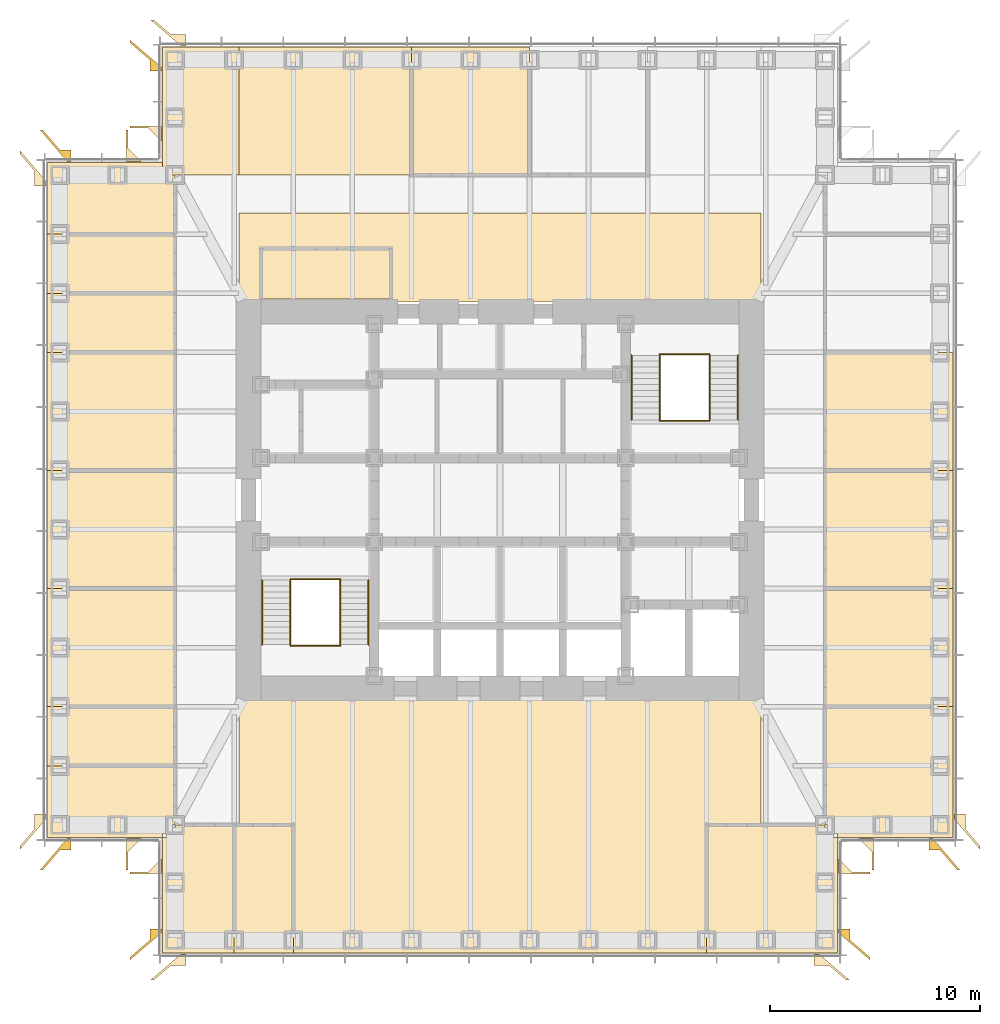
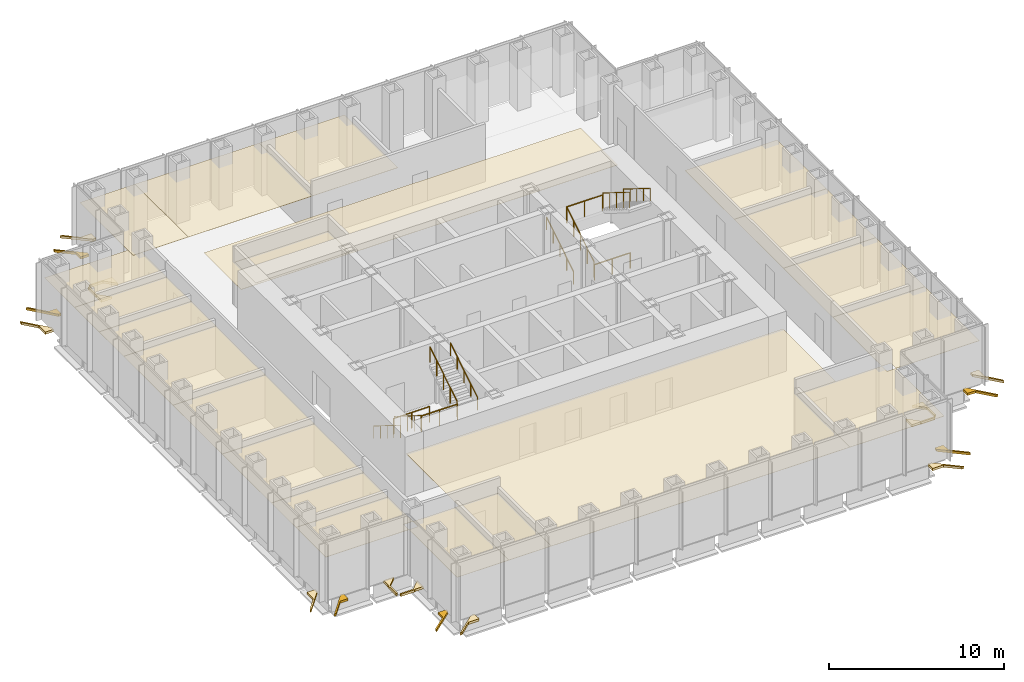
# One storey, part 16 of 17: 39 coverings, 12 railings.
"""IFC4 building model written with IfcOpenShell, lengths in metres."""

from ifc_helpers import new_model, si_unit, direction, frame, origin, origin_2d, place, context, subcontext, project, spatial, polyline, circle, outline, extrude, material, layer, layer_set, type_object, element, save


model = new_model("IFC4")

# Units and contexts
model_context = context("Model", 3, precision=1e-05, world=origin(), true_north=direction((0.0, 1.0)))
body_context = subcontext(model_context, "Body", "Model", "MODEL_VIEW")
ifc_project = project(units=[si_unit("LENGTHUNIT", "METRE"), si_unit("AREAUNIT", "SQUARE_METRE"), si_unit("VOLUMEUNIT", "CUBIC_METRE"), si_unit("PLANEANGLEUNIT", "RADIAN"), si_unit("MASSUNIT", "GRAM", prefix="KILO")], contexts=[model_context])

# Site, building, storey
site_placement = place(None, origin())
site = spatial("IfcSite", under=ifc_project, at=site_placement, CompositionType="ELEMENT")
building_placement = place(site_placement, origin())
building = spatial("IfcBuilding", under=site, at=building_placement, Name="Daluyong Arena Tower", CompositionType="ELEMENT")
storey_placement = place(building_placement, frame((0.0, 0.0, 185.5)))
storey = spatial("IfcBuildingStorey", under=building, at=storey_placement, Name="L41", CompositionType="ELEMENT", Elevation=185.5)

# Coverings
ifc_material_1 = material(Name="Mineral fibre ceiling tile", Category="gypsum board")
ifc_layer_1 = layer(ifc_material_1, 0.02001953125)
ifc_layer_set_1 = layer_set([ifc_layer_1], Name="Mineral fibre ceiling tile")
covering_type_1 = type_object("IfcCoveringType", Name="Office ceiling", PredefinedType="CEILING", material=ifc_layer_set_1)
covering_1_placement = place(storey_placement, frame((0.0, 0.0, 2.89990234375)))
element("IfcCovering", 1, at=covering_1_placement, inside=storey, type_object=covering_type_1, Name="ceiling L41-01", PredefinedType="CEILING", context=body_context, shape_type="SweptSolid", body=[
    extrude(outline(polyline([(39.89990234375, 63.89990234375), (39.89990234375, 58.39990234375), (43.318115234375, 58.39990234375), (43.318115234375, 64.5), (40.5, 64.5), (40.5, 63.89990234375), (39.89990234375, 63.89990234375)])), origin(), (0.0, 0.0, 1.0), 0.02001953125),
])
covering_2_placement = place(storey_placement, frame((0.0, 0.0, 2.89990234375)))
element("IfcCovering", 2, at=covering_2_placement, inside=storey, type_object=covering_type_1, Name="ceiling L41-02", PredefinedType="CEILING", context=body_context, shape_type="SweptSolid", body=[
    extrude(outline(polyline([(43.318115234375, 64.5), (43.318115234375, 58.39990234375), (46.136474609375, 58.39990234375), (46.136474609375, 64.5), (43.318115234375, 64.5)])), origin(), (0.0, 0.0, 1.0), 0.02001953125),
])
covering_3_placement = place(storey_placement, frame((0.0, 0.0, 2.89990234375)))
element("IfcCovering", 3, at=covering_3_placement, inside=storey, type_object=covering_type_1, Name="ceiling L41-03", PredefinedType="CEILING", context=body_context, shape_type="SweptSolid", body=[
    extrude(outline(polyline([(72.10009765625, 58.39990234375), (72.10009765625, 63.89990234375), (71.5, 63.89990234375), (71.5, 64.5), (65.863525390625, 64.5), (65.863525390625, 58.39990234375), (72.10009765625, 58.39990234375)])), origin(), (0.0, 0.0, 1.0), 0.02001953125),
])
covering_4_placement = place(storey_placement, frame((0.0, 0.0, 2.89990234375)))
element("IfcCovering", 4, at=covering_4_placement, inside=storey, type_object=covering_type_1, Name="ceiling L41-04", PredefinedType="CEILING", context=body_context, shape_type="SweptSolid", body=[
    extrude(outline(polyline([(72.10009765625, 63.89990234375), (77.60009765625, 63.89990234375), (77.60009765625, 70.136474609375), (71.5, 70.136474609375), (71.5, 64.5), (72.10009765625, 64.5), (72.10009765625, 63.89990234375)])), origin(), (0.0, 0.0, 1.0), 0.02001953125),
])
covering_5_placement = place(storey_placement, frame((0.0, 0.0, 2.89990234375)))
element("IfcCovering", 5, at=covering_5_placement, inside=storey, type_object=covering_type_1, Name="ceiling L41-05", PredefinedType="CEILING", context=body_context, shape_type="SweptSolid", body=[
    extrude(outline(polyline([(71.5, 70.136474609375), (77.60009765625, 70.136474609375), (77.60009765625, 75.772705078125), (71.5, 75.772705078125), (71.5, 70.136474609375)])), origin(), (0.0, 0.0, 1.0), 0.02001953125),
])
covering_6_placement = place(storey_placement, frame((0.0, 0.0, 2.89990234375)))
element("IfcCovering", 6, at=covering_6_placement, inside=storey, type_object=covering_type_1, Name="ceiling L41-06", PredefinedType="CEILING", context=body_context, shape_type="SweptSolid", body=[
    extrude(outline(polyline([(71.5, 75.772705078125), (77.60009765625, 75.772705078125), (77.60009765625, 81.4091796875), (71.5, 81.4091796875), (71.5, 75.772705078125)])), origin(), (0.0, 0.0, 1.0), 0.02001953125),
])
covering_7_placement = place(storey_placement, frame((0.0, 0.0, 2.89990234375)))
element("IfcCovering", 7, at=covering_7_placement, inside=storey, type_object=covering_type_1, Name="ceiling L41-07", PredefinedType="CEILING", context=body_context, shape_type="SweptSolid", body=[
    extrude(outline(polyline([(71.5, 81.4091796875), (77.60009765625, 81.4091796875), (77.60009765625, 87.04541015625), (71.5, 87.04541015625), (71.5, 81.4091796875)])), origin(), (0.0, 0.0, 1.0), 0.02001953125),
])
covering_8_placement = place(storey_placement, frame((0.0, 0.0, 2.89990234375)))
element("IfcCovering", 8, at=covering_8_placement, inside=storey, type_object=covering_type_1, Name="ceiling L41-10", PredefinedType="CEILING", context=body_context, shape_type="SweptSolid", body=[
    extrude(outline(polyline([(57.4091796875, 95.5), (57.4091796875, 101.60009765625), (51.772705078125, 101.60009765625), (51.772705078125, 95.5), (57.4091796875, 95.5)])), origin(), (0.0, 0.0, 1.0), 0.02001953125),
])
covering_9_placement = place(storey_placement, frame((0.0, 0.0, 2.89990234375)))
element("IfcCovering", 9, at=covering_9_placement, inside=storey, type_object=covering_type_1, Name="ceiling L41-12", PredefinedType="CEILING", context=body_context, shape_type="SweptSolid", body=[
    extrude(outline(polyline([(34.39990234375, 63.89990234375), (39.89990234375, 63.89990234375), (39.89990234375, 64.5), (40.5, 64.5), (40.5, 67.318115234375), (34.39990234375, 67.318115234375), (34.39990234375, 63.89990234375)])), origin(), (0.0, 0.0, 1.0), 0.02001953125),
])
covering_10_placement = place(storey_placement, frame((0.0, 0.0, 2.89990234375)))
element("IfcCovering", 10, at=covering_10_placement, inside=storey, type_object=covering_type_1, Name="ceiling L41-13", PredefinedType="CEILING", context=body_context, shape_type="SweptSolid", body=[
    extrude(outline(polyline([(40.5, 70.136474609375), (34.39990234375, 70.136474609375), (34.39990234375, 67.318115234375), (40.5, 67.318115234375), (40.5, 70.136474609375)])), origin(), (0.0, 0.0, 1.0), 0.02001953125),
])
covering_11_placement = place(storey_placement, frame((0.0, 0.0, 2.89990234375)))
element("IfcCovering", 11, at=covering_11_placement, inside=storey, type_object=covering_type_1, Name="ceiling L41-14", PredefinedType="CEILING", context=body_context, shape_type="SweptSolid", body=[
    extrude(outline(polyline([(40.5, 75.772705078125), (34.39990234375, 75.772705078125), (34.39990234375, 70.136474609375), (40.5, 70.136474609375), (40.5, 75.772705078125)])), origin(), (0.0, 0.0, 1.0), 0.02001953125),
])
covering_12_placement = place(storey_placement, frame((0.0, 0.0, 2.89990234375)))
element("IfcCovering", 12, at=covering_12_placement, inside=storey, type_object=covering_type_1, Name="ceiling L41-15", PredefinedType="CEILING", context=body_context, shape_type="SweptSolid", body=[
    extrude(outline(polyline([(40.5, 81.4091796875), (34.39990234375, 81.4091796875), (34.39990234375, 75.772705078125), (40.5, 75.772705078125), (40.5, 81.4091796875)])), origin(), (0.0, 0.0, 1.0), 0.02001953125),
])
covering_13_placement = place(storey_placement, frame((0.0, 0.0, 2.89990234375)))
element("IfcCovering", 13, at=covering_13_placement, inside=storey, type_object=covering_type_1, Name="ceiling L41-16", PredefinedType="CEILING", context=body_context, shape_type="SweptSolid", body=[
    extrude(outline(polyline([(40.5, 87.04541015625), (34.39990234375, 87.04541015625), (34.39990234375, 81.4091796875), (40.5, 81.4091796875), (40.5, 87.04541015625)])), origin(), (0.0, 0.0, 1.0), 0.02001953125),
])
covering_14_placement = place(storey_placement, frame((0.0, 0.0, 2.89990234375)))
element("IfcCovering", 14, at=covering_14_placement, inside=storey, type_object=covering_type_1, Name="ceiling L41-17", PredefinedType="CEILING", context=body_context, shape_type="SweptSolid", body=[
    extrude(outline(polyline([(40.5, 89.863525390625), (34.39990234375, 89.863525390625), (34.39990234375, 87.04541015625), (40.5, 87.04541015625), (40.5, 89.863525390625)])), origin(), (0.0, 0.0, 1.0), 0.02001953125),
])
covering_15_placement = place(storey_placement, frame((0.0, 0.0, 2.89990234375)))
element("IfcCovering", 15, at=covering_15_placement, inside=storey, type_object=covering_type_1, Name="ceiling L41-18", PredefinedType="CEILING", context=body_context, shape_type="SweptSolid", body=[
    extrude(outline(polyline([(40.5, 92.681884765625), (34.39990234375, 92.681884765625), (34.39990234375, 89.863525390625), (40.5, 89.863525390625), (40.5, 92.681884765625)])), origin(), (0.0, 0.0, 1.0), 0.02001953125),
])
covering_16_placement = place(storey_placement, frame((0.0, 0.0, 2.89990234375)))
element("IfcCovering", 16, at=covering_16_placement, inside=storey, type_object=covering_type_1, Name="ceiling L41-19", PredefinedType="CEILING", context=body_context, shape_type="SweptSolid", body=[
    extrude(outline(polyline([(40.5, 92.681884765625), (40.5, 95.5), (39.89990234375, 95.5), (39.89990234375, 96.10009765625), (34.39990234375, 96.10009765625), (34.39990234375, 92.681884765625), (40.5, 92.681884765625)])), origin(), (0.0, 0.0, 1.0), 0.02001953125),
])
covering_17_placement = place(storey_placement, frame((0.0, 0.0, 2.89990234375)))
element("IfcCovering", 17, at=covering_17_placement, inside=storey, type_object=covering_type_1, Name="ceiling L41-20", PredefinedType="CEILING", context=body_context, shape_type="SweptSolid", body=[
    extrude(outline(polyline([(44.60009765625, 89.60009765625), (50.800048828125, 89.60009765625), (50.800048828125, 92.0), (44.60009765625, 92.0), (44.60009765625, 89.60009765625)])), origin(), (0.0, 0.0, 1.0), 0.02001953125),
])
covering_18_placement = place(storey_placement, frame((0.0, 0.0, 2.89990234375)))
element("IfcCovering", 18, at=covering_18_placement, inside=storey, type_object=covering_type_1, Name="ceiling L41-24", PredefinedType="CEILING", context=body_context, shape_type="SweptSolid", body=[
    extrude(outline(polyline([(46.136474609375, 58.39990234375), (65.863525390625, 58.39990234375), (65.863525390625, 64.5), (68.449951171875, 64.5), (68.449951171875, 70.550048828125), (43.550048828125, 70.550048828125), (43.550048828125, 64.5), (46.136474609375, 64.5), (46.136474609375, 58.39990234375)])), origin(), (0.0, 0.0, 1.0), 0.02001953125),
])
covering_19_placement = place(storey_placement, frame((0.0, 0.0, 2.89990234375)))
element("IfcCovering", 19, at=covering_19_placement, inside=storey, type_object=covering_type_1, Name="ceiling L41-27", PredefinedType="CEILING", context=body_context, shape_type="SweptSolid", body=[
    extrude(outline(polyline([(43.550048828125, 89.449951171875), (68.449951171875, 89.449951171875), (68.449951171875, 93.699951171875), (43.550048828125, 93.699951171875), (43.550048828125, 89.449951171875)]), holes=[polyline([(50.800048828125, 89.60009765625), (44.60009765625, 89.60009765625), (44.60009765625, 92.0), (50.800048828125, 92.0), (50.800048828125, 89.60009765625)])]), origin(), (0.0, 0.0, 1.0), 0.02001953125),
])
covering_20_placement = place(storey_placement, frame((0.0, 0.0, 2.89990234375)))
element("IfcCovering", 20, at=covering_20_placement, inside=storey, type_object=covering_type_1, Name="ceiling L41-28", PredefinedType="CEILING", context=body_context, shape_type="SweptSolid", body=[
    extrude(outline(polyline([(51.772705078125, 101.60009765625), (43.550048828125, 101.60009765625), (43.550048828125, 95.5), (51.772705078125, 95.5), (51.772705078125, 101.60009765625)])), origin(), (0.0, 0.0, 1.0), 0.02001953125),
])
covering_21_placement = place(storey_placement, frame((0.0, 0.0, 2.89990234375)))
element("IfcCovering", 21, at=covering_21_placement, inside=storey, type_object=covering_type_1, Name="ceiling L41-29", PredefinedType="CEILING", context=body_context, shape_type="SweptSolid", body=[
    extrude(outline(polyline([(39.89990234375, 95.5), (43.550048828125, 95.5), (43.550048828125, 101.60009765625), (39.89990234375, 101.60009765625), (39.89990234375, 95.5)])), origin(), (0.0, 0.0, 1.0), 0.02001953125),
])

# Railings
ifc_material_2 = material(Name="Stainless steel handrail", Category="steel")
railing_type_1 = type_object("IfcRailingType", Name="Stair handrail", PredefinedType="HANDRAIL", material=ifc_material_2)
railing_1_placement = place(storey_placement, frame((44.64990234375, 76.175048828125, 0.175048828125)))
element("IfcRailing", 22, at=railing_1_placement, inside=storey, type_object=railing_type_1, Name="exit stair A handrail L41", PredefinedType="HANDRAIL", context=body_context, shape_type="SweptSolid", body=[
    extrude(circle(Radius=0.02392578125, at=origin_2d()), frame((0.0, 0.0, 0.8759765625), z_axis=(0.0, -0.847998304005, 0.529998940003), x_axis=(1.0, 0.0, 0.0)), (0.0, 0.0, 1.0), 3.632080078125),
    extrude(circle(Radius=0.02099609375, at=origin_2d()), origin(), (0.0, 0.0, 1.0), 0.851806640625),
    extrude(circle(Radius=0.02099609375, at=origin_2d()), frame((0.0, -0.77001953125, 0.481201171875)), (0.0, 0.0, 1.0), 0.851806640625),
    extrude(circle(Radius=0.02099609375, at=origin_2d()), frame((0.0, -1.5400390625, 0.96240234375)), (0.0, 0.0, 1.0), 0.851806640625),
    extrude(circle(Radius=0.02099609375, at=origin_2d()), frame((0.0, -2.31005859375, 1.44384765625)), (0.0, 0.0, 1.0), 0.851806640625),
    extrude(circle(Radius=0.02099609375, at=origin_2d()), frame((0.0, -3.080078125, 1.925048828125)), (0.0, 0.0, 1.0), 0.851806640625),
])
for number, where, name in (
    (23, (49.72509765625, 73.094970703125, 2.27490234375), "exit stair A handrail L41"),
    (24, (62.27490234375, 83.824951171875, 0.175048828125), "exit stair B handrail L41"),
):
    element("IfcRailing", number, at=place(storey_placement, frame(where)), inside=storey, type_object=railing_type_1, Name=name, PredefinedType="HANDRAIL", context=body_context, shape_type="SweptSolid", body=[
        extrude(circle(Radius=0.02392578125, at=origin_2d()), frame((0.0, 0.0, 0.8759765625), z_axis=(0.0, 0.847998304005, 0.529998940003), x_axis=(-1.0, 0.0, 0.0)), (0.0, 0.0, 1.0), 3.632080078125),
        extrude(circle(Radius=0.02099609375, at=origin_2d()), origin(), (0.0, 0.0, 1.0), 0.851806640625),
        extrude(circle(Radius=0.02099609375, at=origin_2d()), frame((0.0, 0.77001953125, 0.481201171875)), (0.0, 0.0, 1.0), 0.851806640625),
        extrude(circle(Radius=0.02099609375, at=origin_2d()), frame((0.0, 1.5400390625, 0.96240234375)), (0.0, 0.0, 1.0), 0.851806640625),
        extrude(circle(Radius=0.02099609375, at=origin_2d()), frame((0.0, 2.31005859375, 1.44384765625)), (0.0, 0.0, 1.0), 0.851806640625),
        extrude(circle(Radius=0.02099609375, at=origin_2d()), frame((0.0, 3.080078125, 1.925048828125)), (0.0, 0.0, 1.0), 0.851806640625),
    ])
railing_2_placement = place(storey_placement, frame((67.35009765625, 86.905029296875, 2.27490234375)))
element("IfcRailing", 25, at=railing_2_placement, inside=storey, type_object=railing_type_1, Name="exit stair B handrail L41", PredefinedType="HANDRAIL", context=body_context, shape_type="SweptSolid", body=[
    extrude(circle(Radius=0.02392578125, at=origin_2d()), frame((0.0, 0.0, 0.8759765625), z_axis=(0.0, -0.847998304005, 0.529998940003), x_axis=(1.0, 0.0, 0.0)), (0.0, 0.0, 1.0), 3.632080078125),
    extrude(circle(Radius=0.02099609375, at=origin_2d()), origin(), (0.0, 0.0, 1.0), 0.851806640625),
    extrude(circle(Radius=0.02099609375, at=origin_2d()), frame((0.0, -0.77001953125, 0.481201171875)), (0.0, 0.0, 1.0), 0.851806640625),
    extrude(circle(Radius=0.02099609375, at=origin_2d()), frame((0.0, -1.5400390625, 0.96240234375)), (0.0, 0.0, 1.0), 0.851806640625),
    extrude(circle(Radius=0.02099609375, at=origin_2d()), frame((0.0, -2.31005859375, 1.44384765625)), (0.0, 0.0, 1.0), 0.851806640625),
    extrude(circle(Radius=0.02099609375, at=origin_2d()), frame((0.0, -3.080078125, 1.925048828125)), (0.0, 0.0, 1.0), 0.851806640625),
])
ifc_material_3 = material(Name="Steel balustrade", Category="steel")
railing_type_2 = type_object("IfcRailingType", Name="Stair well guard 1100", PredefinedType="GUARDRAIL", material=ifc_material_3)
railing_3_placement = place(storey_placement, frame((46.0, 76.175048828125, 0.175048828125)))
element("IfcRailing", 26, at=railing_3_placement, inside=storey, type_object=railing_type_2, Name="exit stair A well guard L41", PredefinedType="GUARDRAIL", context=body_context, shape_type="SweptSolid", body=[
    extrude(circle(Radius=0.02392578125, at=origin_2d()), frame((0.0, 0.0, 1.076171875), z_axis=(0.0, -0.847998304005, 0.529998940003), x_axis=(1.0, 0.0, 0.0)), (0.0, 0.0, 1.0), 3.632080078125),
    extrude(circle(Radius=0.02099609375, at=origin_2d()), origin(), (0.0, 0.0, 1.0), 1.052001953125),
    extrude(circle(Radius=0.02099609375, at=origin_2d()), frame((0.0, -0.77001953125, 0.481201171875)), (0.0, 0.0, 1.0), 1.052001953125),
    extrude(circle(Radius=0.02099609375, at=origin_2d()), frame((0.0, -1.5400390625, 0.96240234375)), (0.0, 0.0, 1.0), 1.052001953125),
    extrude(circle(Radius=0.02099609375, at=origin_2d()), frame((0.0, -2.31005859375, 1.44384765625)), (0.0, 0.0, 1.0), 1.052001953125),
    extrude(circle(Radius=0.02099609375, at=origin_2d()), frame((0.0, -3.080078125, 1.925048828125)), (0.0, 0.0, 1.0), 1.052001953125),
])
railing_4_placement = place(storey_placement, frame((48.375, 73.094970703125, 2.27490234375)))
element("IfcRailing", 27, at=railing_4_placement, inside=storey, type_object=railing_type_2, Name="exit stair A well guard L41", PredefinedType="GUARDRAIL", context=body_context, shape_type="SweptSolid", body=[
    extrude(circle(Radius=0.02392578125, at=origin_2d()), frame((0.0, 0.0, 1.076171875), z_axis=(0.0, 0.847998304005, 0.529998940003), x_axis=(-1.0, 0.0, 0.0)), (0.0, 0.0, 1.0), 3.632080078125),
    extrude(circle(Radius=0.02099609375, at=origin_2d()), origin(), (0.0, 0.0, 1.0), 1.052001953125),
    extrude(circle(Radius=0.02099609375, at=origin_2d()), frame((0.0, 0.77001953125, 0.481201171875)), (0.0, 0.0, 1.0), 1.052001953125),
    extrude(circle(Radius=0.02099609375, at=origin_2d()), frame((0.0, 1.5400390625, 0.96240234375)), (0.0, 0.0, 1.0), 1.052001953125),
    extrude(circle(Radius=0.02099609375, at=origin_2d()), frame((0.0, 2.31005859375, 1.44384765625)), (0.0, 0.0, 1.0), 1.052001953125),
    extrude(circle(Radius=0.02099609375, at=origin_2d()), frame((0.0, 3.080078125, 1.925048828125)), (0.0, 0.0, 1.0), 1.052001953125),
])
for number, where, name in (
    (28, (46.0, 73.044921875, 2.10009765625), "exit stair A landing guard L41"),
    (29, (46.0, 76.22509765625, 0.0), "exit stair A floor landing guard L41"),
):
    element("IfcRailing", number, at=place(storey_placement, frame(where)), inside=storey, type_object=railing_type_2, Name=name, PredefinedType="GUARDRAIL", context=body_context, shape_type="SweptSolid", body=[
        extrude(circle(Radius=0.02392578125, at=origin_2d()), frame((0.0, 0.0, 1.076171875), z_axis=(1.0, 0.0, 0.0), x_axis=(0.0, 1.0, 0.0)), (0.0, 0.0, 1.0), 2.375),
        extrude(circle(Radius=0.02099609375, at=origin_2d()), origin(), (0.0, 0.0, 1.0), 1.052001953125),
        extrude(circle(Radius=0.02099609375, at=origin_2d()), frame((1.1875, 0.0, 0.0)), (0.0, 0.0, 1.0), 1.052001953125),
        extrude(circle(Radius=0.02099609375, at=origin_2d()), frame((2.375, 0.0, 0.0)), (0.0, 0.0, 1.0), 1.052001953125),
    ])
railing_5_placement = place(storey_placement, frame((63.625, 83.824951171875, 0.175048828125)))
element("IfcRailing", 30, at=railing_5_placement, inside=storey, type_object=railing_type_2, Name="exit stair B well guard L41", PredefinedType="GUARDRAIL", context=body_context, shape_type="SweptSolid", body=[
    extrude(circle(Radius=0.02392578125, at=origin_2d()), frame((0.0, 0.0, 1.076171875), z_axis=(0.0, 0.847998304005, 0.529998940003), x_axis=(-1.0, 0.0, 0.0)), (0.0, 0.0, 1.0), 3.632080078125),
    extrude(circle(Radius=0.02099609375, at=origin_2d()), origin(), (0.0, 0.0, 1.0), 1.052001953125),
    extrude(circle(Radius=0.02099609375, at=origin_2d()), frame((0.0, 0.77001953125, 0.481201171875)), (0.0, 0.0, 1.0), 1.052001953125),
    extrude(circle(Radius=0.02099609375, at=origin_2d()), frame((0.0, 1.5400390625, 0.96240234375)), (0.0, 0.0, 1.0), 1.052001953125),
    extrude(circle(Radius=0.02099609375, at=origin_2d()), frame((0.0, 2.31005859375, 1.44384765625)), (0.0, 0.0, 1.0), 1.052001953125),
    extrude(circle(Radius=0.02099609375, at=origin_2d()), frame((0.0, 3.080078125, 1.925048828125)), (0.0, 0.0, 1.0), 1.052001953125),
])
railing_6_placement = place(storey_placement, frame((66.0, 86.905029296875, 2.27490234375)))
element("IfcRailing", 31, at=railing_6_placement, inside=storey, type_object=railing_type_2, Name="exit stair B well guard L41", PredefinedType="GUARDRAIL", context=body_context, shape_type="SweptSolid", body=[
    extrude(circle(Radius=0.02392578125, at=origin_2d()), frame((0.0, 0.0, 1.076171875), z_axis=(0.0, -0.847998304005, 0.529998940003), x_axis=(1.0, 0.0, 0.0)), (0.0, 0.0, 1.0), 3.632080078125),
    extrude(circle(Radius=0.02099609375, at=origin_2d()), origin(), (0.0, 0.0, 1.0), 1.052001953125),
    extrude(circle(Radius=0.02099609375, at=origin_2d()), frame((0.0, -0.77001953125, 0.481201171875)), (0.0, 0.0, 1.0), 1.052001953125),
    extrude(circle(Radius=0.02099609375, at=origin_2d()), frame((0.0, -1.5400390625, 0.96240234375)), (0.0, 0.0, 1.0), 1.052001953125),
    extrude(circle(Radius=0.02099609375, at=origin_2d()), frame((0.0, -2.31005859375, 1.44384765625)), (0.0, 0.0, 1.0), 1.052001953125),
    extrude(circle(Radius=0.02099609375, at=origin_2d()), frame((0.0, -3.080078125, 1.925048828125)), (0.0, 0.0, 1.0), 1.052001953125),
])
for number, where, name in (
    (32, (63.625, 86.955078125, 2.10009765625), "exit stair B landing guard L41"),
    (33, (63.625, 83.77490234375, 0.0), "exit stair B floor landing guard L41"),
):
    element("IfcRailing", number, at=place(storey_placement, frame(where)), inside=storey, type_object=railing_type_2, Name=name, PredefinedType="GUARDRAIL", context=body_context, shape_type="SweptSolid", body=[
        extrude(circle(Radius=0.02392578125, at=origin_2d()), frame((0.0, 0.0, 1.076171875), z_axis=(1.0, 0.0, 0.0), x_axis=(0.0, 1.0, 0.0)), (0.0, 0.0, 1.0), 2.375),
        extrude(circle(Radius=0.02099609375, at=origin_2d()), origin(), (0.0, 0.0, 1.0), 1.052001953125),
        extrude(circle(Radius=0.02099609375, at=origin_2d()), frame((1.1875, 0.0, 0.0)), (0.0, 0.0, 1.0), 1.052001953125),
        extrude(circle(Radius=0.02099609375, at=origin_2d()), frame((2.375, 0.0, 0.0)), (0.0, 0.0, 1.0), 1.052001953125),
    ])

# Coverings
ifc_material_4 = material(Name="Bronze anodised aluminium capping", Category="aluminium")
ifc_layer_2 = layer(ifc_material_4, 0.159912109375)
ifc_layer_set_2 = layer_set([ifc_layer_2], Name="Bronze anodised aluminium capping")
covering_type_2 = type_object("IfcCoveringType", Name="Transition column casing cap 160", PredefinedType="ROOFING", material=ifc_layer_set_2)
covering_22_placement = place(storey_placement, frame((0.0, 0.0, -0.159912109375)))
element("IfcCovering", 34, at=covering_22_placement, inside=storey, type_object=covering_type_2, Name="transition column casing cap L40 1", PredefinedType="ROOFING", context=body_context, shape_type="SweptSolid", body=[
    extrude(outline(polyline([(39.300048828125, 59.529052734375), (39.85009765625, 59.529052734375), (39.85009765625, 59.344482421875), (38.35009765625, 58.05859375), (38.35009765625, 58.1904296875), (39.300048828125, 59.004638671875), (39.300048828125, 59.529052734375)])), origin(), (0.0, 0.0, 1.0), 0.159912109375),
])
covering_23_placement = place(storey_placement, frame((0.0, 0.0, -0.159912109375)))
element("IfcCovering", 35, at=covering_23_placement, inside=storey, type_object=covering_type_2, Name="transition column casing cap L40 2", PredefinedType="ROOFING", context=body_context, shape_type="SweptSolid", body=[
    extrude(outline(polyline([(41.015380859375, 57.800048828125), (40.305419921875, 57.800048828125), (39.48876953125, 57.10009765625), (39.335205078125, 57.10009765625), (40.79345703125, 58.35009765625), (41.015380859375, 58.35009765625), (41.015380859375, 57.800048828125)])), origin(), (0.0, 0.0, 1.0), 0.159912109375),
])
covering_24_placement = place(storey_placement, frame((0.0, 0.0, -0.159912109375)))
element("IfcCovering", 36, at=covering_24_placement, inside=storey, type_object=covering_type_2, Name="transition column casing cap L40 1", PredefinedType="ROOFING", context=body_context, shape_type="SweptSolid", body=[
    extrude(outline(polyline([(72.664794921875, 57.10009765625), (72.51123046875, 57.10009765625), (71.694580078125, 57.800048828125), (70.984619140625, 57.800048828125), (70.984619140625, 58.35009765625), (71.20654296875, 58.35009765625), (72.664794921875, 57.10009765625)])), origin(), (0.0, 0.0, 1.0), 0.159912109375),
])
covering_25_placement = place(storey_placement, frame((0.0, 0.0, -0.159912109375)))
element("IfcCovering", 37, at=covering_25_placement, inside=storey, type_object=covering_type_2, Name="transition column casing cap L40 2", PredefinedType="ROOFING", context=body_context, shape_type="SweptSolid", body=[
    extrude(outline(polyline([(72.699951171875, 59.529052734375), (72.699951171875, 59.004638671875), (73.64990234375, 58.1904296875), (73.64990234375, 58.05859375), (72.14990234375, 59.344482421875), (72.14990234375, 59.529052734375), (72.699951171875, 59.529052734375)])), origin(), (0.0, 0.0, 1.0), 0.159912109375),
])
covering_26_placement = place(storey_placement, frame((0.0, 0.0, -0.159912109375)))
element("IfcCovering", 38, at=covering_26_placement, inside=storey, type_object=covering_type_2, Name="transition column casing cap L40 1", PredefinedType="ROOFING", context=body_context, shape_type="SweptSolid", body=[
    extrude(outline(polyline([(72.699951171875, 62.18798828125), (72.699951171875, 62.177978515625), (72.14990234375, 62.177978515625), (72.14990234375, 62.87939453125), (72.779296875, 62.25), (73.64990234375, 62.25), (73.64990234375, 62.14990234375), (72.73779296875, 62.14990234375), (72.699951171875, 62.18798828125)])), origin(), (0.0, 0.0, 1.0), 0.159912109375),
])
covering_27_placement = place(storey_placement, frame((0.0, 0.0, -0.159912109375)))
element("IfcCovering", 39, at=covering_27_placement, inside=storey, type_object=covering_type_2, Name="transition column casing cap L40 2", PredefinedType="ROOFING", context=body_context, shape_type="SweptSolid", body=[
    extrude(outline(polyline([(73.822021484375, 63.300048828125), (73.81201171875, 63.300048828125), (73.85009765625, 63.26220703125), (73.85009765625, 62.35009765625), (73.75, 62.35009765625), (73.75, 63.220703125), (73.12060546875, 63.85009765625), (73.822021484375, 63.85009765625), (73.822021484375, 63.300048828125)])), origin(), (0.0, 0.0, 1.0), 0.159912109375),
])
covering_28_placement = place(storey_placement, frame((0.0, 0.0, -0.159912109375)))
element("IfcCovering", 40, at=covering_28_placement, inside=storey, type_object=covering_type_2, Name="transition column casing cap L40 1", PredefinedType="ROOFING", context=body_context, shape_type="SweptSolid", body=[
    extrude(outline(polyline([(77.94140625, 62.35009765625), (77.8095703125, 62.35009765625), (76.995361328125, 63.300048828125), (76.470947265625, 63.300048828125), (76.470947265625, 63.85009765625), (76.655517578125, 63.85009765625), (77.94140625, 62.35009765625)])), origin(), (0.0, 0.0, 1.0), 0.159912109375),
])
covering_29_placement = place(storey_placement, frame((0.0, 0.0, -0.159912109375)))
element("IfcCovering", 41, at=covering_29_placement, inside=storey, type_object=covering_type_2, Name="transition column casing cap L40 2", PredefinedType="ROOFING", context=body_context, shape_type="SweptSolid", body=[
    extrude(outline(polyline([(78.199951171875, 65.015380859375), (78.199951171875, 64.305419921875), (78.89990234375, 63.48876953125), (78.89990234375, 63.335205078125), (77.64990234375, 64.79345703125), (77.64990234375, 65.015380859375), (78.199951171875, 65.015380859375)])), origin(), (0.0, 0.0, 1.0), 0.159912109375),
])
covering_30_placement = place(storey_placement, frame((0.0, 0.0, -0.159912109375)))
element("IfcCovering", 42, at=covering_30_placement, inside=storey, type_object=covering_type_2, Name="transition column casing cap L40 1", PredefinedType="ROOFING", context=body_context, shape_type="SweptSolid", body=[
    extrude(outline(polyline([(39.300048828125, 100.470947265625), (39.300048828125, 100.995361328125), (38.35009765625, 101.8095703125), (38.35009765625, 101.94140625), (39.85009765625, 100.655517578125), (39.85009765625, 100.470947265625), (39.300048828125, 100.470947265625)])), origin(), (0.0, 0.0, 1.0), 0.159912109375),
])
covering_31_placement = place(storey_placement, frame((0.0, 0.0, -0.159912109375)))
element("IfcCovering", 43, at=covering_31_placement, inside=storey, type_object=covering_type_2, Name="transition column casing cap L40 2", PredefinedType="ROOFING", context=body_context, shape_type="SweptSolid", body=[
    extrude(outline(polyline([(41.015380859375, 102.199951171875), (41.015380859375, 101.64990234375), (40.79345703125, 101.64990234375), (39.335205078125, 102.89990234375), (39.48876953125, 102.89990234375), (40.305419921875, 102.199951171875), (41.015380859375, 102.199951171875)])), origin(), (0.0, 0.0, 1.0), 0.159912109375),
])
covering_32_placement = place(storey_placement, frame((0.0, 0.0, -0.159912109375)))
element("IfcCovering", 44, at=covering_32_placement, inside=storey, type_object=covering_type_2, Name="transition column casing cap L40 1", PredefinedType="ROOFING", context=body_context, shape_type="SweptSolid", body=[
    extrude(outline(polyline([(38.18798828125, 96.699951171875), (38.14990234375, 96.73779296875), (38.14990234375, 97.64990234375), (38.25, 97.64990234375), (38.25, 96.779296875), (38.87939453125, 96.14990234375), (38.177978515625, 96.14990234375), (38.177978515625, 96.699951171875), (38.18798828125, 96.699951171875)])), origin(), (0.0, 0.0, 1.0), 0.159912109375),
])
covering_33_placement = place(storey_placement, frame((0.0, 0.0, -0.159912109375)))
element("IfcCovering", 45, at=covering_33_placement, inside=storey, type_object=covering_type_2, Name="transition column casing cap L40 2", PredefinedType="ROOFING", context=body_context, shape_type="SweptSolid", body=[
    extrude(outline(polyline([(39.300048828125, 97.81201171875), (39.300048828125, 97.822021484375), (39.85009765625, 97.822021484375), (39.85009765625, 97.12060546875), (39.220703125, 97.75), (38.35009765625, 97.75), (38.35009765625, 97.85009765625), (39.26220703125, 97.85009765625), (39.300048828125, 97.81201171875)])), origin(), (0.0, 0.0, 1.0), 0.159912109375),
])
covering_34_placement = place(storey_placement, frame((0.0, 0.0, -0.159912109375)))
element("IfcCovering", 46, at=covering_34_placement, inside=storey, type_object=covering_type_2, Name="transition column casing cap L40 1", PredefinedType="ROOFING", context=body_context, shape_type="SweptSolid", body=[
    extrude(outline(polyline([(33.800048828125, 94.984619140625), (33.800048828125, 95.694580078125), (33.10009765625, 96.51123046875), (33.10009765625, 96.664794921875), (34.35009765625, 95.20654296875), (34.35009765625, 94.984619140625), (33.800048828125, 94.984619140625)])), origin(), (0.0, 0.0, 1.0), 0.159912109375),
])
covering_35_placement = place(storey_placement, frame((0.0, 0.0, -0.159912109375)))
element("IfcCovering", 47, at=covering_35_placement, inside=storey, type_object=covering_type_2, Name="transition column casing cap L40 2", PredefinedType="ROOFING", context=body_context, shape_type="SweptSolid", body=[
    extrude(outline(polyline([(35.529052734375, 96.699951171875), (35.529052734375, 96.14990234375), (35.344482421875, 96.14990234375), (34.05859375, 97.64990234375), (34.1904296875, 97.64990234375), (35.004638671875, 96.699951171875), (35.529052734375, 96.699951171875)])), origin(), (0.0, 0.0, 1.0), 0.159912109375),
])
covering_36_placement = place(storey_placement, frame((0.0, 0.0, -0.159912109375)))
element("IfcCovering", 48, at=covering_36_placement, inside=storey, type_object=covering_type_2, Name="transition column casing cap L40 1", PredefinedType="ROOFING", context=body_context, shape_type="SweptSolid", body=[
    extrude(outline(polyline([(33.800048828125, 65.015380859375), (34.35009765625, 65.015380859375), (34.35009765625, 64.79345703125), (33.10009765625, 63.335205078125), (33.10009765625, 63.48876953125), (33.800048828125, 64.305419921875), (33.800048828125, 65.015380859375)])), origin(), (0.0, 0.0, 1.0), 0.159912109375),
])
covering_37_placement = place(storey_placement, frame((0.0, 0.0, -0.159912109375)))
element("IfcCovering", 49, at=covering_37_placement, inside=storey, type_object=covering_type_2, Name="transition column casing cap L40 2", PredefinedType="ROOFING", context=body_context, shape_type="SweptSolid", body=[
    extrude(outline(polyline([(35.529052734375, 63.300048828125), (35.004638671875, 63.300048828125), (34.1904296875, 62.35009765625), (34.05859375, 62.35009765625), (35.344482421875, 63.85009765625), (35.529052734375, 63.85009765625), (35.529052734375, 63.300048828125)])), origin(), (0.0, 0.0, 1.0), 0.159912109375),
])
covering_38_placement = place(storey_placement, frame((0.0, 0.0, -0.159912109375)))
element("IfcCovering", 50, at=covering_38_placement, inside=storey, type_object=covering_type_2, Name="transition column casing cap L40 1", PredefinedType="ROOFING", context=body_context, shape_type="SweptSolid", body=[
    extrude(outline(polyline([(38.18798828125, 63.300048828125), (38.177978515625, 63.300048828125), (38.177978515625, 63.85009765625), (38.87939453125, 63.85009765625), (38.25, 63.220703125), (38.25, 62.35009765625), (38.14990234375, 62.35009765625), (38.14990234375, 63.26220703125), (38.18798828125, 63.300048828125)])), origin(), (0.0, 0.0, 1.0), 0.159912109375),
])
covering_39_placement = place(storey_placement, frame((0.0, 0.0, -0.159912109375)))
element("IfcCovering", 51, at=covering_39_placement, inside=storey, type_object=covering_type_2, Name="transition column casing cap L40 2", PredefinedType="ROOFING", context=body_context, shape_type="SweptSolid", body=[
    extrude(outline(polyline([(39.85009765625, 62.87939453125), (39.85009765625, 62.177978515625), (39.300048828125, 62.177978515625), (39.300048828125, 62.18798828125), (39.26220703125, 62.14990234375), (38.35009765625, 62.14990234375), (38.35009765625, 62.25), (39.220703125, 62.25), (39.85009765625, 62.87939453125)])), origin(), (0.0, 0.0, 1.0), 0.159912109375),
])

save(model, "model.ifc")
